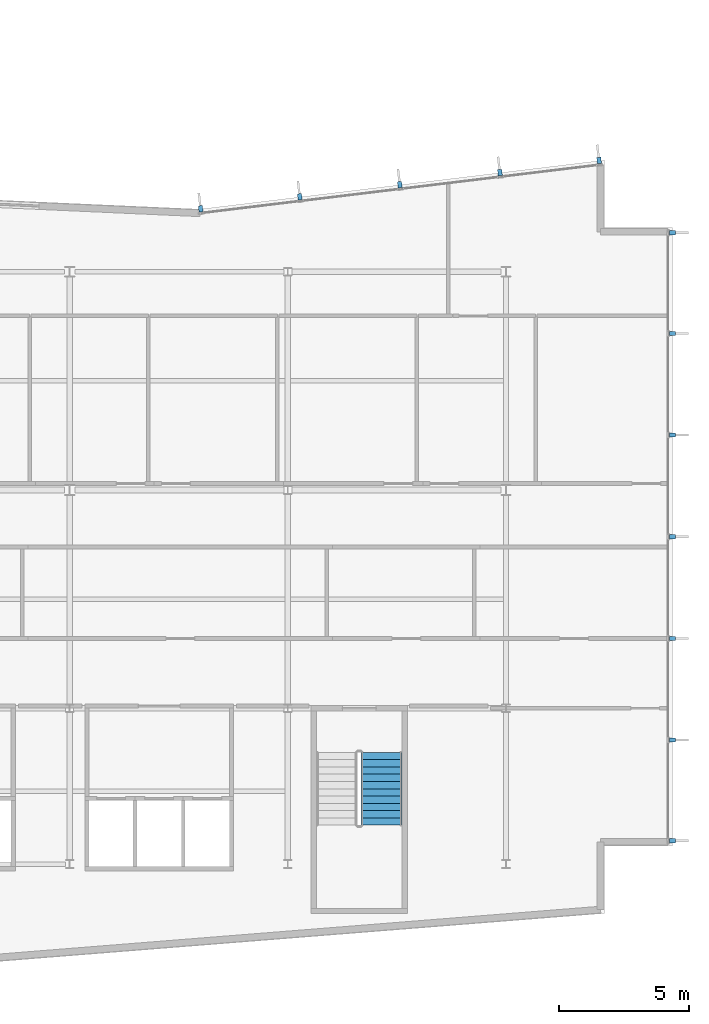
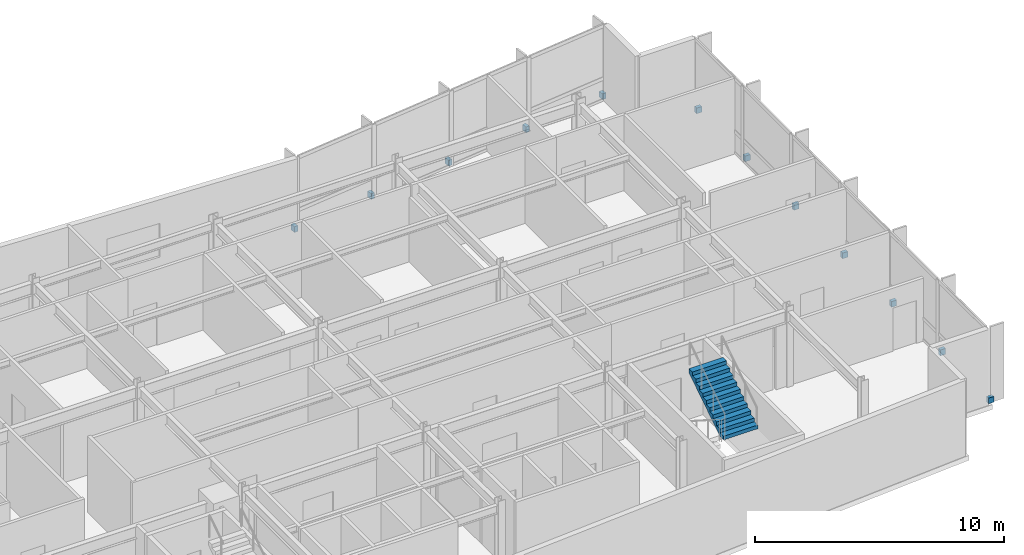
# One storey, part 14 of 18: 12 discrete accessories, 1 stair flight, 1 element without a shape of its own.
"""IFC4 building model written with IfcOpenShell, lengths in metres."""

from ifc_helpers import new_model, si_unit, direction, frame, origin, origin_2d, place, context, subcontext, project, spatial, polyline, rectangle, outline, extrude, material, layer, layer_set, type_object, element, aggregate, save


model = new_model("IFC4")

# Units and contexts
model_context = context("Model", 3, precision=1e-05, world=origin(), true_north=direction((0.0, 1.0)))
body_context = subcontext(model_context, "Body", "Model", "MODEL_VIEW")
ifc_project = project(units=[si_unit("LENGTHUNIT", "METRE"), si_unit("AREAUNIT", "SQUARE_METRE"), si_unit("VOLUMEUNIT", "CUBIC_METRE"), si_unit("PLANEANGLEUNIT", "RADIAN"), si_unit("MASSUNIT", "GRAM", prefix="KILO")], contexts=[model_context])

# Site, building, storey
site_placement = place(None, origin())
site = spatial("IfcSite", under=ifc_project, at=site_placement, CompositionType="ELEMENT")
building_placement = place(site_placement, origin())
building = spatial("IfcBuilding", under=site, at=building_placement, Name="Varnakote Quay Hospital", CompositionType="ELEMENT")
storey_placement = place(building_placement, frame((0.0, 0.0, 107.300048828125)))
storey = spatial("IfcBuildingStorey", under=building, at=storey_placement, Name="L26", CompositionType="ELEMENT", Elevation=107.300048828125)

# Stair, stair flight
ifc_material_1 = material(Name="Concrete N40 (f'c 40 MPa)", Category="concrete")
stair_type = type_object("IfcStairType", Name="STR-CORE-1580", PredefinedType="HALF_TURN_STAIR", material=ifc_material_1)
stair_placement = place(storey_placement, origin())
stair = element("IfcStair", 1, at=stair_placement, inside=storey, type_object=stair_type, Name="L26 Fire-Isolated Exit Stair ST-03", PredefinedType="HALF_TURN_STAIR")
ifc_material_2 = material(Name="Concrete N40 (f'c 40 MPa)", Category="concrete")
ifc_layer = layer(ifc_material_2, 0.159912109375)
ifc_layer_set = layer_set([ifc_layer], Name="Concrete N40 (f'c 40 MPa)")
stair_flight_type = type_object("IfcStairFlightType", Name="FLT-CORE-1580", PredefinedType="STRAIGHT", material=ifc_layer_set)
stair_flight_placement = place(storey_placement, frame((45.610107421875, 7.5, 1.974853515625), z_axis=(0.0, 0.0, 1.0), x_axis=(0.0, 1.0, 0.0)))
stair_flight = element("IfcStairFlight", 2, at=stair_flight_placement, type_object=stair_flight_type, Name="ST-03 flight 2", NumberOfRisers=11, NumberOfTreads=10, PredefinedType="STRAIGHT", RiserHeight=0.179545455, TreadLength=0.28, context=body_context, shape_type="SweptSolid", body=[
    extrude(outline(polyline([(0.0, 0.0), (0.0, 0.179443359375), (0.280029296875, 0.179443359375), (0.280029296875, 0.359130859375), (0.56005859375, 0.359130859375), (0.56005859375, 0.53857421875), (0.840087890625, 0.53857421875), (0.840087890625, 0.71826171875), (1.1201171875, 0.71826171875), (1.1201171875, 0.897705078125), (1.39990234375, 0.897705078125), (1.39990234375, 1.077392578125), (1.679931640625, 1.077392578125), (1.679931640625, 1.2568359375), (1.9599609375, 1.2568359375), (1.9599609375, 1.436279296875), (2.239990234375, 1.436279296875), (2.239990234375, 1.615966796875), (2.52001953125, 1.615966796875), (2.52001953125, 1.79541015625), (2.800048828125, 1.79541015625), (2.800048828125, 1.97509765625), (2.800048828125, 1.60546875), (0.296142578125, 0.0), (0.0, 0.0)])), frame((0.0, 0.7900390625, 0.0), z_axis=(0.0, -1.0, 0.0), x_axis=(1.0, 0.0, 0.0)), (0.0, 0.0, 1.0), 1.580078125),
])
aggregate(stair, [stair_flight])

# Discrete accessories
ifc_material_3 = material(Name="Anodised aluminium 6063-T6 Bronze", Category="aluminium")
discrete_accessory_type = type_object("IfcDiscreteAccessoryType", Name="ACC-FIN-BRACKET-180", PredefinedType="BRACKET", material=ifc_material_3)
for number, where, z_axis, x_axis, name in (
    (3, (56.81005859375, 6.8974609375, 0.0), (0.0, 0.0, 1.0), (0.0, 1.0, 0.0), "L26 Curtain Wall Fin Fixing Bracket"),
    (4, (56.81005859375, 10.773193359375, 0.0), (0.0, 0.0, 1.0), (0.0, 1.0, 0.0), "L26 Curtain Wall Fin Fixing Bracket"),
    (5, (56.81005859375, 14.686767578125, 0.0), (0.0, 0.0, 1.0), (0.0, 1.0, 0.0), "L26 Curtain Wall Fin Fixing Bracket"),
    (6, (56.81005859375, 18.60009765625, 0.0), (0.0, 0.0, 1.0), (0.0, 1.0, 0.0), "L26 Curtain Wall Fin Fixing Bracket"),
    (7, (56.81005859375, 22.51318359375, 0.0), (0.0, 0.0, 1.0), (0.0, 1.0, 0.0), "L26 Curtain Wall Fin Fixing Bracket"),
    (8, (56.81005859375, 26.4267578125, 0.0), (0.0, 0.0, 1.0), (0.0, 1.0, 0.0), "L26 Curtain Wall Fin Fixing Bracket"),
    (9, (56.81005859375, 30.302490234375, 0.0), (0.0, 0.0, 1.0), (0.0, 1.0, 0.0), "L26 Curtain Wall Fin Fixing Bracket"),
    (10, (53.982421875, 33.083740234375, 0.0), (0.0, 0.0, 1.0), (-0.992736358975, -0.120310105847, 0.0), "L26 Curtain Wall Fin Fixing Bracket"),
    (11, (50.1669921875, 32.62109375, 0.0), (0.0, 0.0, 1.0), (-0.992736358975, -0.120310105847, 0.0), "L26 Curtain Wall Fin Fixing Bracket"),
    (12, (46.314697265625, 32.154296875, 0.0), (0.0, 0.0, 1.0), (-0.992736358975, -0.120310105847, 0.0), "L26 Curtain Wall Fin Fixing Bracket"),
    (13, (42.462158203125, 31.687255859375, 0.0), (0.0, 0.0, 1.0), (-0.992736358975, -0.120310105847, 0.0), "L26 Curtain Wall Fin Fixing Bracket"),
    (14, (38.64697265625, 31.224853515625, 0.0), (0.0, 0.0, 1.0), (-0.992736358975, -0.120310105847, 0.0), "L26 Curtain Wall Fin Fixing Bracket"),
):
    element("IfcDiscreteAccessory", number, at=place(storey_placement, frame(where, z_axis=z_axis, x_axis=x_axis)), inside=storey, type_object=discrete_accessory_type, Name=name, PredefinedType="BRACKET", context=body_context, shape_type="SweptSolid", body=[
        extrude(rectangle(XDim=0.159912109375, YDim=0.239990234375, at=origin_2d()), origin(), (0.0, 0.0, 1.0), 0.280029296875),
    ])

save(model, "model.ifc")
